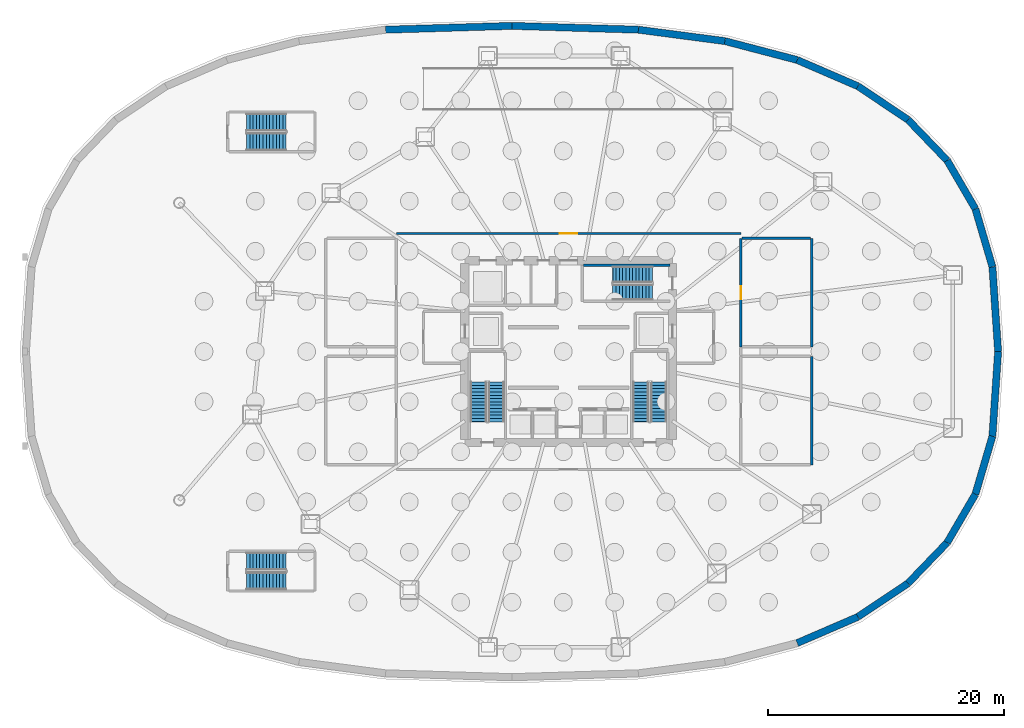
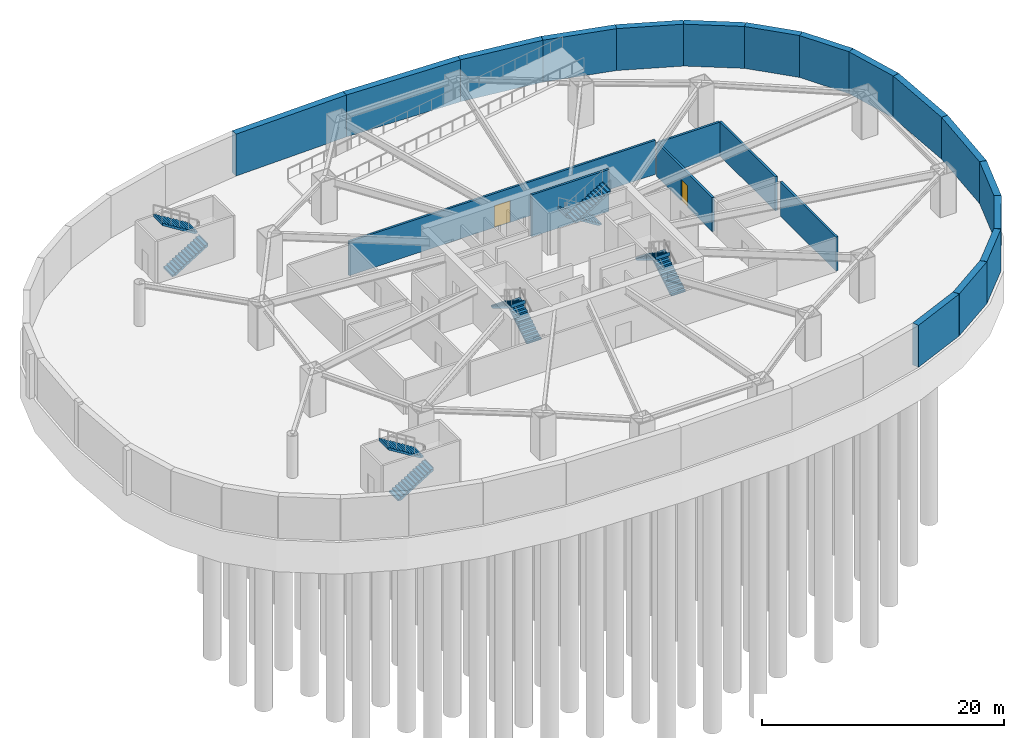
# One storey, part 5 of 10: 22 walls, 10 stair flights, 2 doors, 2 openings, 5 elements without a shape of their own.
"""IFC4 building model written with IfcOpenShell, lengths in metres."""

from ifc_helpers import new_model, si_unit, direction, frame, frame_2d, origin, place, context, subcontext, project, spatial, polyline, rectangle, outline, extrude, source, transform, mapped, material, layer, layer_set, type_object, element, fill, aggregate, save


model = new_model("IFC4")

# Units and contexts
model_context = context("Model", 3, precision=1e-05, world=origin(), true_north=direction((0.0, 1.0)))
body_context = subcontext(model_context, "Body", "Model", "MODEL_VIEW")
ifc_project = project(units=[si_unit("LENGTHUNIT", "METRE"), si_unit("AREAUNIT", "SQUARE_METRE"), si_unit("VOLUMEUNIT", "CUBIC_METRE"), si_unit("PLANEANGLEUNIT", "RADIAN"), si_unit("MASSUNIT", "GRAM", prefix="KILO"), si_unit("THERMODYNAMICTEMPERATUREUNIT", "KELVIN")], contexts=[model_context])

# Site, building, storey
site_placement = place(None, origin())
site = spatial("IfcSite", under=ifc_project, at=site_placement, CompositionType="ELEMENT")
building_placement = place(site_placement, origin())
building = spatial("IfcBuilding", under=site, at=building_placement, Name="Kethvar Cultural Tower", CompositionType="ELEMENT")
storey_placement = place(building_placement, frame((0.0, 0.0, -9.0)))
storey = spatial("IfcBuildingStorey", under=building, at=storey_placement, Name="B02", CompositionType="ELEMENT", Elevation=-9.0)

# Walls
ifc_material_1 = material(Name="Concrete C45/55", Category="concrete")
ifc_layer_1 = layer(ifc_material_1, 0.60009765625, Name="Concrete C45/55", Category="concrete")
ifc_layer_set_1 = layer_set([ifc_layer_1], Name="Concrete C45/55 (600 mm)")
wall_type_1 = type_object("IfcWallType", Name="WL-BSMT-600", PredefinedType="SHEAR", material=ifc_layer_set_1)
wall_1_placement = place(storey_placement, frame((83.199951171875, 27.800048828125, 0.0), z_axis=(0.0, 0.0, 1.0), x_axis=(-0.067018998283, 0.997751699507, 0.0)))
element("IfcWall", 1, at=wall_1_placement, inside=storey, type_object=wall_type_1, Name="B02 Perimeter Retaining Wall 01", PredefinedType="SHEAR", context=body_context, shape_type="SweptSolid", body=[
    extrude(rectangle(XDim=7.194580078125, YDim=0.60009765625, at=frame_2d((3.59716796875, 0.0))), origin(), (0.0, 0.0, 1.0), 4.219970703125),
])
wall_2_placement = place(storey_placement, frame((82.7177734375, 34.978515625, 0.0), z_axis=(0.0, 0.0, 1.0), x_axis=(-0.281735210535, 0.959492194416, 0.0)))
element("IfcWall", 2, at=wall_2_placement, inside=storey, type_object=wall_type_1, Name="B02 Perimeter Retaining Wall 02", PredefinedType="SHEAR", context=body_context, shape_type="SweptSolid", body=[
    extrude(rectangle(XDim=5.12060546875, YDim=0.60009765625, at=frame_2d((2.560302734375, 0.0))), origin(), (0.0, 0.0, 1.0), 4.219970703125),
])
wall_3_placement = place(storey_placement, frame((81.275146484375, 39.8916015625, 0.0), z_axis=(0.0, 0.0, 1.0), x_axis=(-0.503496923494, 0.863997018532, 0.0)))
element("IfcWall", 3, at=wall_3_placement, inside=storey, type_object=wall_type_1, Name="B02 Perimeter Retaining Wall 03", PredefinedType="SHEAR", context=body_context, shape_type="SweptSolid", body=[
    extrude(rectangle(XDim=4.748046875, YDim=0.60009765625, at=frame_2d((2.3740234375, 0.0))), origin(), (0.0, 0.0, 1.0), 4.219970703125),
])
wall_4_placement = place(storey_placement, frame((78.884521484375, 43.993896484375, 0.0), z_axis=(0.0, 0.0, 1.0), x_axis=(-0.693368389068, 0.720583289455, 0.0)))
element("IfcWall", 4, at=wall_4_placement, inside=storey, type_object=wall_type_1, Name="B02 Perimeter Retaining Wall 04", PredefinedType="SHEAR", context=body_context, shape_type="SweptSolid", body=[
    extrude(rectangle(XDim=4.79052734375, YDim=0.60009765625, at=frame_2d((2.395263671875, 0.0))), origin(), (0.0, 0.0, 1.0), 4.219970703125),
])
wall_5_placement = place(storey_placement, frame((75.56298828125, 47.44580078125, 0.0), z_axis=(0.0, 0.0, 1.0), x_axis=(-0.830803406524, 0.556565988638, 0.0)))
element("IfcWall", 5, at=wall_5_placement, inside=storey, type_object=wall_type_1, Name="B02 Perimeter Retaining Wall 05", PredefinedType="SHEAR", context=body_context, shape_type="SweptSolid", body=[
    extrude(rectangle(XDim=5.099365234375, YDim=0.60009765625, at=frame_2d((2.5498046875, 0.0))), origin(), (0.0, 0.0, 1.0), 4.219970703125),
])
wall_6_placement = place(storey_placement, frame((71.326416015625, 50.283935546875, 0.0), z_axis=(0.0, 0.0, 1.0), x_axis=(-0.918068469745, 0.396421852147, 0.0)))
element("IfcWall", 6, at=wall_6_placement, inside=storey, type_object=wall_type_1, Name="B02 Perimeter Retaining Wall 06", PredefinedType="SHEAR", context=body_context, shape_type="SweptSolid", body=[
    extrude(rectangle(XDim=5.613037109375, YDim=0.60009765625, at=frame_2d((2.806640625, 0.0))), origin(), (0.0, 0.0, 1.0), 4.219970703125),
])
wall_7_placement = place(storey_placement, frame((66.17333984375, 52.509033203125, 0.0), z_axis=(0.0, 0.0, 1.0), x_axis=(-0.967458151093, 0.253031076914, 0.0)))
element("IfcWall", 7, at=wall_7_placement, inside=storey, type_object=wall_type_1, Name="B02 Perimeter Retaining Wall 07", PredefinedType="SHEAR", context=body_context, shape_type="SweptSolid", body=[
    extrude(rectangle(XDim=6.32958984375, YDim=0.60009765625, at=frame_2d((3.164794921875, 0.0))), origin(), (0.0, 0.0, 1.0), 4.219970703125),
])
wall_8_placement = place(storey_placement, frame((60.0498046875, 54.110595703125, 0.0), z_axis=(0.0, 0.0, 1.0), x_axis=(-0.991431364125, 0.130628673076, 0.0)))
element("IfcWall", 8, at=wall_8_placement, inside=storey, type_object=wall_type_1, Name="B02 Perimeter Retaining Wall 08", PredefinedType="SHEAR", context=body_context, shape_type="SweptSolid", body=[
    extrude(rectangle(XDim=7.3974609375, YDim=0.60009765625, at=frame_2d((3.69873046875, 0.0))), origin(), (0.0, 0.0, 1.0), 4.219970703125),
])
for number, where, z_axis, x_axis, name in (
    (9, (52.7158203125, 55.076904296875, 0.0), (0.0, 0.0, 1.0), (-0.999546034195, 0.030128483624, 0.0), "B02 Perimeter Retaining Wall 09"),
    (10, (42.0, 55.39990234375, 0.0), (0.0, 0.0, 1.0), (-0.999546034195, -0.030128483624, 0.0), "B02 Perimeter Retaining Wall 10"),
):
    element("IfcWall", number, at=place(storey_placement, frame(where, z_axis=z_axis, x_axis=x_axis)), inside=storey, type_object=wall_type_1, Name=name, PredefinedType="SHEAR", context=body_context, shape_type="SweptSolid", body=[
        extrude(rectangle(XDim=10.720703125, YDim=0.60009765625, at=frame_2d((5.3603515625, 0.0))), origin(), (0.0, 0.0, 1.0), 4.219970703125),
    ])
wall_9_placement = place(storey_placement, frame((66.17333984375, 3.091064453125, 0.0), z_axis=(0.0, 0.0, 1.0), x_axis=(0.918084299297, 0.396385190671, 0.0)))
element("IfcWall", 11, at=wall_9_placement, inside=storey, type_object=wall_type_1, Name="B02 Perimeter Retaining Wall 31", PredefinedType="SHEAR", context=body_context, shape_type="SweptSolid", body=[
    extrude(rectangle(XDim=5.61279296875, YDim=0.60009765625, at=frame_2d((2.806396484375, 0.0))), origin(), (0.0, 0.0, 1.0), 4.219970703125),
])
wall_10_placement = place(storey_placement, frame((71.326416015625, 5.31591796875, 0.0), z_axis=(0.0, 0.0, 1.0), x_axis=(0.830781268444, 0.556599033419, 0.0)))
element("IfcWall", 12, at=wall_10_placement, inside=storey, type_object=wall_type_1, Name="B02 Perimeter Retaining Wall 32", PredefinedType="SHEAR", context=body_context, shape_type="SweptSolid", body=[
    extrude(rectangle(XDim=5.099609375, YDim=0.60009765625, at=frame_2d((2.5498046875, 0.0))), origin(), (0.0, 0.0, 1.0), 4.219970703125),
])
wall_11_placement = place(storey_placement, frame((75.56298828125, 8.154296875, 0.0), z_axis=(0.0, 0.0, 1.0), x_axis=(0.693368389068, 0.720583289455, 0.0)))
element("IfcWall", 13, at=wall_11_placement, inside=storey, type_object=wall_type_1, Name="B02 Perimeter Retaining Wall 33", PredefinedType="SHEAR", context=body_context, shape_type="SweptSolid", body=[
    extrude(rectangle(XDim=4.79052734375, YDim=0.60009765625, at=frame_2d((2.395263671875, 0.0))), origin(), (0.0, 0.0, 1.0), 4.219970703125),
])
wall_12_placement = place(storey_placement, frame((78.884521484375, 11.606201171875, 0.0), z_axis=(0.0, 0.0, 1.0), x_axis=(0.503519292696, 0.863983982423, 0.0)))
element("IfcWall", 14, at=wall_12_placement, inside=storey, type_object=wall_type_1, Name="B02 Perimeter Retaining Wall 34", PredefinedType="SHEAR", context=body_context, shape_type="SweptSolid", body=[
    extrude(rectangle(XDim=4.747802734375, YDim=0.60009765625, at=frame_2d((2.3740234375, 0.0))), origin(), (0.0, 0.0, 1.0), 4.219970703125),
])
wall_13_placement = place(storey_placement, frame((81.275146484375, 15.708251953125, 0.0), z_axis=(0.0, 0.0, 1.0), x_axis=(0.281735210535, 0.959492194416, 0.0)))
element("IfcWall", 15, at=wall_13_placement, inside=storey, type_object=wall_type_1, Name="B02 Perimeter Retaining Wall 35", PredefinedType="SHEAR", context=body_context, shape_type="SweptSolid", body=[
    extrude(rectangle(XDim=5.12060546875, YDim=0.60009765625, at=frame_2d((2.560302734375, 0.0))), origin(), (0.0, 0.0, 1.0), 4.219970703125),
])
wall_14_placement = place(storey_placement, frame((82.7177734375, 20.621337890625, 0.0), z_axis=(0.0, 0.0, 1.0), x_axis=(0.067016729273, 0.997751851914, 0.0)))
element("IfcWall", 16, at=wall_14_placement, inside=storey, type_object=wall_type_1, Name="B02 Perimeter Retaining Wall 36", PredefinedType="SHEAR", context=body_context, shape_type="SweptSolid", body=[
    extrude(rectangle(XDim=7.19482421875, YDim=0.60009765625, at=frame_2d((3.597412109375, 0.0))), origin(), (0.0, 0.0, 1.0), 4.219970703125),
])
ifc_material_2 = material(Name="Concrete C40/50", Category="concrete")
ifc_layer_2 = layer(ifc_material_2, 0.199951171875, Name="Concrete C40/50", Category="concrete")
ifc_layer_set_2 = layer_set([ifc_layer_2], Name="Concrete C40/50 (200 mm)")
wall_type_2 = type_object("IfcWallType", Name="WL-FIRE-200", PredefinedType="PARTITIONING", material=ifc_layer_set_2)
wall_15_placement = place(storey_placement, frame((67.39990234375, 18.199951171875, 0.0), z_axis=(0.0, 0.0, 1.0), x_axis=(0.0, 1.0, 0.0)))
element("IfcWall", 17, at=wall_15_placement, inside=storey, type_object=wall_type_2, Name="B02 MV Substation Switchroom Back Wall", PredefinedType="PARTITIONING", context=body_context, shape_type="SweptSolid", body=[
    extrude(rectangle(XDim=9.199951171875, YDim=0.199951171875, at=frame_2d((4.60009765625, 0.0))), origin(), (0.0, 0.0, 1.0), 3.43310546875),
])

# Wall, opening, door
wall_16_placement = place(storey_placement, frame((61.39990234375, 28.199951171875, 0.0), z_axis=(0.0, 0.0, 1.0), x_axis=(0.0, 1.0, 0.0)))
wall_16 = element("IfcWall", 18, at=wall_16_placement, inside=storey, type_object=wall_type_2, Name="B02 Sprinkler Booster Pump Room Front Wall", PredefinedType="PARTITIONING", context=body_context, shape_type="SweptSolid", body=[
    extrude(rectangle(XDim=9.199951171875, YDim=0.199951171875, at=frame_2d((4.60009765625, 0.0))), origin(), (0.0, 0.0, 1.0), 3.43310546875),
])
opening_1_placement = place(wall_16_placement, frame((4.050048828125, 0.0, 0.0)))
opening_1 = element("IfcOpeningElement", 19, at=opening_1_placement, cuts=wall_16, Name="Opening D-B02-B4", PredefinedType="OPENING", context=body_context, shape_type="SweptSolid", body=[
    extrude(rectangle(XDim=1.10009765625, YDim=2.14990234375, at=frame_2d((0.550048828125, 1.074951171875))), frame((0.0, 0.10986328125, 0.0), z_axis=(0.0, -1.0, 0.0), x_axis=(1.0, 0.0, 0.0)), (0.0, 0.0, 1.0), 0.219970703125),
])
ifc_material_3 = material(Name="Steel S355J2", Category="steel")
door_type_1 = type_object("IfcDoorType", Name="DR-FD60-1100", OperationType="NOTDEFINED", PredefinedType="DOOR", material=ifc_material_3)
shared_shape_1 = source(origin(), body_context, "Body", "SweptSolid", [
    extrude(rectangle(XDim=1.10009765625, YDim=2.14990234375, at=frame_2d((0.550048828125, 1.074951171875))), frame((0.0, 0.02490234375, 0.0), z_axis=(0.0, -1.0, 0.0), x_axis=(1.0, 0.0, 0.0)), (0.0, 0.0, 1.0), 0.050048828125),
])
door_1_placement = place(opening_1_placement, origin())
door_1 = element("IfcDoor", 20, at=door_1_placement, inside=storey, type_object=door_type_1, Name="B02 Sprinkler Booster Pump Room Door", OperationType="SINGLE_SWING_RIGHT", OverallHeight=2.14990234375, OverallWidth=1.10009765625, PredefinedType="DOOR", context=body_context, shape_type="MappedRepresentation", body=[
    mapped(shared_shape_1, transform((0.0, 0.0, 0.0), scale=1.0)),
])
fill(opening_1, door_1)

# Walls
wall_17_placement = place(storey_placement, frame((67.39990234375, 28.199951171875, 0.0), z_axis=(0.0, 0.0, 1.0), x_axis=(0.0, 1.0, 0.0)))
element("IfcWall", 21, at=wall_17_placement, inside=storey, type_object=wall_type_2, Name="B02 Sprinkler Booster Pump Room Back Wall", PredefinedType="PARTITIONING", context=body_context, shape_type="SweptSolid", body=[
    extrude(rectangle(XDim=9.199951171875, YDim=0.199951171875, at=frame_2d((4.60009765625, 0.0))), origin(), (0.0, 0.0, 1.0), 3.43310546875),
])
wall_18_placement = place(storey_placement, frame((61.510009765625, 37.39990234375, 0.0), z_axis=(0.0, 0.0, 1.0), x_axis=(1.0, 0.0, 0.0)))
element("IfcWall", 22, at=wall_18_placement, inside=storey, type_object=wall_type_2, Name="B02 Sprinkler Booster Pump Room North Wall", PredefinedType="PARTITIONING", context=body_context, shape_type="SweptSolid", body=[
    extrude(rectangle(XDim=5.780029296875, YDim=0.199951171875, at=frame_2d((2.89013671875, 0.0))), origin(), (0.0, 0.0, 1.0), 3.43310546875),
])

# Wall, opening, door
wall_19_placement = place(storey_placement, frame((32.199951171875, 37.800048828125, 0.0), z_axis=(0.0, 0.0, 1.0), x_axis=(1.0, 0.0, 0.0)))
wall_19 = element("IfcWall", 23, at=wall_19_placement, inside=storey, type_object=wall_type_2, Name="B02 Basement Vestibule Wall N", PredefinedType="PARTITIONING", context=body_context, shape_type="SweptSolid", body=[
    extrude(rectangle(XDim=29.199951171875, YDim=0.199951171875, at=frame_2d((14.60009765625, 0.0))), origin(), (0.0, 0.0, 1.0), 3.43310546875),
])
opening_2_placement = place(wall_19_placement, frame((13.85009765625, 0.0, 0.0)))
opening_2 = element("IfcOpeningElement", 24, at=opening_2_placement, cuts=wall_19, Name="Opening D-B02-CPN", PredefinedType="OPENING", context=body_context, shape_type="SweptSolid", body=[
    extrude(rectangle(XDim=1.5, YDim=2.199951171875, at=frame_2d((0.75, 1.10009765625))), frame((0.0, 0.10986328125, 0.0), z_axis=(0.0, -1.0, 0.0), x_axis=(1.0, 0.0, 0.0)), (0.0, 0.0, 1.0), 0.219970703125),
])
ifc_material_4 = material(Name="Architectural Oak Timber", Category="wood")
door_type_2 = type_object("IfcDoorType", Name="DR-DBL-FD60-1500", OperationType="DOUBLE_DOOR_SINGLE_SWING", PredefinedType="DOOR", material=ifc_material_4)
shared_shape_2 = source(origin(), body_context, "Body", "SweptSolid", [
    extrude(rectangle(XDim=1.5, YDim=2.199951171875, at=frame_2d((0.75, 1.10009765625))), frame((0.0, 0.02490234375, 0.0), z_axis=(0.0, -1.0, 0.0), x_axis=(1.0, 0.0, 0.0)), (0.0, 0.0, 1.0), 0.050048828125),
])
door_2_placement = place(opening_2_placement, origin())
door_2 = element("IfcDoor", 25, at=door_2_placement, inside=storey, type_object=door_type_2, Name="B02 Car Park Vestibule Door N", OperationType="DOUBLE_DOOR_SINGLE_SWING", OverallHeight=2.199951171875, OverallWidth=1.5, PredefinedType="DOOR", context=body_context, shape_type="MappedRepresentation", body=[
    mapped(shared_shape_2, transform((0.0, 0.0, 0.0), scale=1.0)),
])
fill(opening_2, door_2)

# Wall
ifc_material_5 = material(Name="Concrete C50/60", Category="concrete")
ifc_layer_3 = layer(ifc_material_5, 0.199951171875, Name="Concrete C50/60", Category="concrete")
ifc_layer_set_3 = layer_set([ifc_layer_3], Name="Concrete C50/60 (200 mm)")
wall_type_3 = type_object("IfcWallType", Name="WL-STSHAFT-200", PredefinedType="SHEAR", material=ifc_layer_set_3)
wall_20_placement = place(storey_placement, frame((48.050048828125, 35.110107421875, 0.0), z_axis=(0.0, 0.0, 1.0), x_axis=(1.0, 0.0, 0.0)))
element("IfcWall", 26, at=wall_20_placement, inside=storey, type_object=wall_type_3, Name="B02 ST-03 Stair Shaft Wall LEFT", PredefinedType="SHEAR", context=body_context, shape_type="SweptSolid", body=[
    extrude(rectangle(XDim=7.349853515625, YDim=0.199951171875, at=frame_2d((3.6748046875, 0.0))), origin(), (0.0, 0.0, 1.0), 4.219970703125),
])

# Stair, stair flights
stair_type_1 = type_object("IfcStairType", Name="ST-DOGLEG-135", PredefinedType="HALF_TURN_STAIR", material=ifc_material_2)
stair_1_placement = place(storey_placement, origin())
stair_1 = element("IfcStair", 27, at=stair_1_placement, inside=storey, type_object=stair_type_1, Name="B02 Core Exit Stair 1", PredefinedType="HALF_TURN_STAIR")
stair_flight_type_1 = type_object("IfcStairFlightType", Name="FL-STRAIGHT-135", PredefinedType="STRAIGHT", material=ifc_material_2)
stair_flight_1_placement = place(storey_placement, frame((40.675048828125, 21.85009765625, 0.0), z_axis=(0.0, 0.0, 1.0), x_axis=(0.0, 1.0, 0.0)))
stair_flight_1 = element("IfcStairFlight", 28, at=stair_flight_1_placement, type_object=stair_flight_type_1, Name="ST-01 flight 1", NumberOfRisers=13, NumberOfTreads=12, PredefinedType="STRAIGHT", RiserHeight=0.173076923, TreadLength=0.28, context=body_context, shape_type="SweptSolid", body=[
    extrude(outline(polyline([(-0.0009765625, -0.0009765625), (-0.0009765625, 0.173095703125), (0.280029296875, 0.173095703125), (0.280029296875, 0.34619140625), (0.56005859375, 0.34619140625), (0.56005859375, 0.519287109375), (0.840087890625, 0.519287109375), (0.840087890625, 0.6923828125), (1.1201171875, 0.6923828125), (1.1201171875, 0.865478515625), (1.39990234375, 0.865478515625), (1.39990234375, 1.03857421875), (1.679931640625, 1.03857421875), (1.679931640625, 1.21142578125), (1.9599609375, 1.21142578125), (1.9599609375, 1.384521484375), (2.239990234375, 1.384521484375), (2.239990234375, 1.5576171875), (2.52001953125, 1.5576171875), (2.52001953125, 1.730712890625), (2.800048828125, 1.730712890625), (2.800048828125, 1.90380859375), (3.080078125, 1.90380859375), (3.080078125, 2.076904296875), (3.360107421875, 2.076904296875), (3.360107421875, 2.25), (3.361083984375, 2.25), (3.361083984375, 1.900634765625), (0.28515625, 0.0), (0.0, -0.0009765625), (-0.0009765625, -0.0009765625)])), frame((0.0, 0.675048828125, 0.0), z_axis=(0.0, -1.0, 0.0), x_axis=(1.0, 0.0, 0.0)), (0.0, 0.0, 1.0), 1.35009765625),
])
stair_flight_2_placement = place(storey_placement, frame((39.1650390625, 25.2099609375, 2.25), z_axis=(0.0, 0.0, 1.0), x_axis=(0.0, -1.0, 0.0)))
stair_flight_2 = element("IfcStairFlight", 29, at=stair_flight_2_placement, type_object=stair_flight_type_1, Name="ST-01 flight 2", NumberOfRisers=13, NumberOfTreads=12, PredefinedType="STRAIGHT", RiserHeight=0.173076923, TreadLength=0.28, context=body_context, shape_type="SweptSolid", body=[
    extrude(outline(polyline([(-0.0009765625, -0.0009765625), (-0.0009765625, 0.173095703125), (0.280029296875, 0.173095703125), (0.280029296875, 0.34619140625), (0.56005859375, 0.34619140625), (0.56005859375, 0.519287109375), (0.840087890625, 0.519287109375), (0.840087890625, 0.6923828125), (1.1201171875, 0.6923828125), (1.1201171875, 0.865478515625), (1.39990234375, 0.865478515625), (1.39990234375, 1.03857421875), (1.679931640625, 1.03857421875), (1.679931640625, 1.21142578125), (1.9599609375, 1.21142578125), (1.9599609375, 1.384521484375), (2.239990234375, 1.384521484375), (2.239990234375, 1.5576171875), (2.52001953125, 1.5576171875), (2.52001953125, 1.730712890625), (2.800048828125, 1.730712890625), (2.800048828125, 1.90380859375), (3.080078125, 1.90380859375), (3.080078125, 2.076904296875), (3.360107421875, 2.076904296875), (3.360107421875, 2.25), (3.361083984375, 2.25), (3.361083984375, 1.900634765625), (0.28515625, 0.0), (0.0, -0.0009765625), (-0.0009765625, -0.0009765625)])), frame((0.0, 0.675048828125, 0.0), z_axis=(0.0, -1.0, 0.0), x_axis=(1.0, 0.0, 0.0)), (0.0, 0.0, 1.0), 1.35009765625),
])
aggregate(stair_1, [stair_flight_1, stair_flight_2])

stair_2_placement = place(storey_placement, origin())
stair_2 = element("IfcStair", 30, at=stair_2_placement, inside=storey, type_object=stair_type_1, Name="B02 Core Exit Stair 2", PredefinedType="HALF_TURN_STAIR")
stair_flight_3_placement = place(storey_placement, frame((54.43505859375, 21.85009765625, 0.0), z_axis=(0.0, 0.0, 1.0), x_axis=(0.0, 1.0, 0.0)))
stair_flight_3 = element("IfcStairFlight", 31, at=stair_flight_3_placement, type_object=stair_flight_type_1, Name="ST-02 flight 1", NumberOfRisers=13, NumberOfTreads=12, PredefinedType="STRAIGHT", RiserHeight=0.173076923, TreadLength=0.28, context=body_context, shape_type="SweptSolid", body=[
    extrude(outline(polyline([(-0.0009765625, -0.0009765625), (-0.0009765625, 0.173095703125), (0.280029296875, 0.173095703125), (0.280029296875, 0.34619140625), (0.56005859375, 0.34619140625), (0.56005859375, 0.519287109375), (0.840087890625, 0.519287109375), (0.840087890625, 0.6923828125), (1.1201171875, 0.6923828125), (1.1201171875, 0.865478515625), (1.39990234375, 0.865478515625), (1.39990234375, 1.03857421875), (1.679931640625, 1.03857421875), (1.679931640625, 1.21142578125), (1.9599609375, 1.21142578125), (1.9599609375, 1.384521484375), (2.239990234375, 1.384521484375), (2.239990234375, 1.5576171875), (2.52001953125, 1.5576171875), (2.52001953125, 1.730712890625), (2.800048828125, 1.730712890625), (2.800048828125, 1.90380859375), (3.080078125, 1.90380859375), (3.080078125, 2.076904296875), (3.360107421875, 2.076904296875), (3.360107421875, 2.25), (3.361083984375, 2.25), (3.361083984375, 1.900634765625), (0.28515625, 0.0), (0.0, -0.0009765625), (-0.0009765625, -0.0009765625)])), frame((0.0, 0.675048828125, 0.0), z_axis=(0.0, -1.0, 0.0), x_axis=(1.0, 0.0, 0.0)), (0.0, 0.0, 1.0), 1.35009765625),
])
stair_flight_4_placement = place(storey_placement, frame((52.925048828125, 25.2099609375, 2.25), z_axis=(0.0, 0.0, 1.0), x_axis=(0.0, -1.0, 0.0)))
stair_flight_4 = element("IfcStairFlight", 32, at=stair_flight_4_placement, type_object=stair_flight_type_1, Name="ST-02 flight 2", NumberOfRisers=13, NumberOfTreads=12, PredefinedType="STRAIGHT", RiserHeight=0.173076923, TreadLength=0.28, context=body_context, shape_type="SweptSolid", body=[
    extrude(outline(polyline([(-0.0009765625, -0.0009765625), (-0.0009765625, 0.173095703125), (0.280029296875, 0.173095703125), (0.280029296875, 0.34619140625), (0.56005859375, 0.34619140625), (0.56005859375, 0.519287109375), (0.840087890625, 0.519287109375), (0.840087890625, 0.6923828125), (1.1201171875, 0.6923828125), (1.1201171875, 0.865478515625), (1.39990234375, 0.865478515625), (1.39990234375, 1.03857421875), (1.679931640625, 1.03857421875), (1.679931640625, 1.21142578125), (1.9599609375, 1.21142578125), (1.9599609375, 1.384521484375), (2.239990234375, 1.384521484375), (2.239990234375, 1.5576171875), (2.52001953125, 1.5576171875), (2.52001953125, 1.730712890625), (2.800048828125, 1.730712890625), (2.800048828125, 1.90380859375), (3.080078125, 1.90380859375), (3.080078125, 2.076904296875), (3.360107421875, 2.076904296875), (3.360107421875, 2.25), (3.361083984375, 2.25), (3.361083984375, 1.900634765625), (0.28515625, 0.0), (0.0, -0.0009765625), (-0.0009765625, -0.0009765625)])), frame((0.0, 0.675048828125, 0.0), z_axis=(0.0, -1.0, 0.0), x_axis=(1.0, 0.0, 0.0)), (0.0, 0.0, 1.0), 1.35009765625),
])
aggregate(stair_2, [stair_flight_3, stair_flight_4])

stair_3_placement = place(storey_placement, origin())
stair_3 = element("IfcStair", 33, at=stair_3_placement, inside=storey, type_object=stair_type_1, Name="B02 Core Exit Stair 3", PredefinedType="HALF_TURN_STAIR")
stair_flight_5_placement = place(storey_placement, frame((53.89990234375, 34.3349609375, 0.0), z_axis=(0.0, 0.0, 1.0), x_axis=(-1.0, 0.0, 0.0)))
stair_flight_5 = element("IfcStairFlight", 34, at=stair_flight_5_placement, type_object=stair_flight_type_1, Name="ST-03 flight 1", NumberOfRisers=13, NumberOfTreads=12, PredefinedType="STRAIGHT", RiserHeight=0.173076923, TreadLength=0.28, context=body_context, shape_type="SweptSolid", body=[
    extrude(outline(polyline([(-0.0009765625, -0.0009765625), (-0.0009765625, 0.173095703125), (0.280029296875, 0.173095703125), (0.280029296875, 0.34619140625), (0.56005859375, 0.34619140625), (0.56005859375, 0.519287109375), (0.840087890625, 0.519287109375), (0.840087890625, 0.6923828125), (1.1201171875, 0.6923828125), (1.1201171875, 0.865478515625), (1.39990234375, 0.865478515625), (1.39990234375, 1.03857421875), (1.679931640625, 1.03857421875), (1.679931640625, 1.21142578125), (1.9599609375, 1.21142578125), (1.9599609375, 1.384521484375), (2.239990234375, 1.384521484375), (2.239990234375, 1.5576171875), (2.52001953125, 1.5576171875), (2.52001953125, 1.730712890625), (2.800048828125, 1.730712890625), (2.800048828125, 1.90380859375), (3.080078125, 1.90380859375), (3.080078125, 2.076904296875), (3.360107421875, 2.076904296875), (3.360107421875, 2.25), (3.361083984375, 2.25), (3.361083984375, 1.900634765625), (0.28515625, 0.0), (0.0, -0.0009765625), (-0.0009765625, -0.0009765625)])), frame((0.0, 0.675048828125, 0.0), z_axis=(0.0, -1.0, 0.0), x_axis=(1.0, 0.0, 0.0)), (0.0, 0.0, 1.0), 1.35009765625),
])
stair_flight_6_placement = place(storey_placement, frame((50.5400390625, 32.824951171875, 2.25), z_axis=(0.0, 0.0, 1.0), x_axis=(1.0, 0.0, 0.0)))
stair_flight_6 = element("IfcStairFlight", 35, at=stair_flight_6_placement, type_object=stair_flight_type_1, Name="ST-03 flight 2", NumberOfRisers=13, NumberOfTreads=12, PredefinedType="STRAIGHT", RiserHeight=0.173076923, TreadLength=0.28, context=body_context, shape_type="SweptSolid", body=[
    extrude(outline(polyline([(-0.0009765625, -0.0009765625), (-0.0009765625, 0.173095703125), (0.280029296875, 0.173095703125), (0.280029296875, 0.34619140625), (0.56005859375, 0.34619140625), (0.56005859375, 0.519287109375), (0.840087890625, 0.519287109375), (0.840087890625, 0.6923828125), (1.1201171875, 0.6923828125), (1.1201171875, 0.865478515625), (1.39990234375, 0.865478515625), (1.39990234375, 1.03857421875), (1.679931640625, 1.03857421875), (1.679931640625, 1.21142578125), (1.9599609375, 1.21142578125), (1.9599609375, 1.384521484375), (2.239990234375, 1.384521484375), (2.239990234375, 1.5576171875), (2.52001953125, 1.5576171875), (2.52001953125, 1.730712890625), (2.800048828125, 1.730712890625), (2.800048828125, 1.90380859375), (3.080078125, 1.90380859375), (3.080078125, 2.076904296875), (3.360107421875, 2.076904296875), (3.360107421875, 2.25), (3.361083984375, 2.25), (3.361083984375, 1.900634765625), (0.28515625, 0.0), (0.0, -0.0009765625), (-0.0009765625, -0.0009765625)])), frame((0.0, 0.675048828125, 0.0), z_axis=(0.0, -1.0, 0.0), x_axis=(1.0, 0.0, 0.0)), (0.0, 0.0, 1.0), 1.35009765625),
])
aggregate(stair_3, [stair_flight_5, stair_flight_6])

stair_type_2 = type_object("IfcStairType", Name="ST-DOGLEG-150", PredefinedType="HALF_TURN_STAIR", material=ifc_material_2)
stair_4_placement = place(storey_placement, origin())
stair_4 = element("IfcStair", 36, at=stair_4_placement, inside=storey, type_object=stair_type_2, Name="B02 Podium Auditorium Exit Stair 4", PredefinedType="HALF_TURN_STAIR")
stair_flight_type_2 = type_object("IfcStairFlightType", Name="FL-STRAIGHT-150", PredefinedType="STRAIGHT", material=ifc_material_2)
stair_flight_7_placement = place(storey_placement, frame((19.5, 8.35009765625, 0.0), z_axis=(0.0, 0.0, 1.0), x_axis=(1.0, 0.0, 0.0)))
stair_flight_7 = element("IfcStairFlight", 37, at=stair_flight_7_placement, type_object=stair_flight_type_2, Name="ST-04 flight 1", NumberOfRisers=13, NumberOfTreads=12, PredefinedType="STRAIGHT", RiserHeight=0.173076923, TreadLength=0.28, context=body_context, shape_type="SweptSolid", body=[
    extrude(outline(polyline([(-0.0009765625, -0.0009765625), (-0.0009765625, 0.173095703125), (0.280029296875, 0.173095703125), (0.280029296875, 0.34619140625), (0.56005859375, 0.34619140625), (0.56005859375, 0.519287109375), (0.840087890625, 0.519287109375), (0.840087890625, 0.6923828125), (1.1201171875, 0.6923828125), (1.1201171875, 0.865478515625), (1.39990234375, 0.865478515625), (1.39990234375, 1.03857421875), (1.679931640625, 1.03857421875), (1.679931640625, 1.21142578125), (1.9599609375, 1.21142578125), (1.9599609375, 1.384521484375), (2.239990234375, 1.384521484375), (2.239990234375, 1.5576171875), (2.52001953125, 1.5576171875), (2.52001953125, 1.730712890625), (2.800048828125, 1.730712890625), (2.800048828125, 1.90380859375), (3.080078125, 1.90380859375), (3.080078125, 2.076904296875), (3.360107421875, 2.076904296875), (3.360107421875, 2.25), (3.361083984375, 2.25), (3.361083984375, 1.900634765625), (0.28515625, 0.0), (0.0, -0.0009765625), (-0.0009765625, -0.0009765625)])), frame((0.0, 0.75, 0.0), z_axis=(0.0, -1.0, 0.0), x_axis=(1.0, 0.0, 0.0)), (0.0, 0.0, 1.0), 1.5),
])
stair_flight_8_placement = place(storey_placement, frame((22.860107421875, 10.010009765625, 2.25), z_axis=(0.0, 0.0, 1.0), x_axis=(-1.0, 0.0, 0.0)))
stair_flight_8 = element("IfcStairFlight", 38, at=stair_flight_8_placement, type_object=stair_flight_type_2, Name="ST-04 flight 2", NumberOfRisers=13, NumberOfTreads=12, PredefinedType="STRAIGHT", RiserHeight=0.173076923, TreadLength=0.28, context=body_context, shape_type="SweptSolid", body=[
    extrude(outline(polyline([(-0.0009765625, -0.0009765625), (-0.0009765625, 0.173095703125), (0.280029296875, 0.173095703125), (0.280029296875, 0.34619140625), (0.56005859375, 0.34619140625), (0.56005859375, 0.519287109375), (0.840087890625, 0.519287109375), (0.840087890625, 0.6923828125), (1.1201171875, 0.6923828125), (1.1201171875, 0.865478515625), (1.39990234375, 0.865478515625), (1.39990234375, 1.03857421875), (1.679931640625, 1.03857421875), (1.679931640625, 1.21142578125), (1.9599609375, 1.21142578125), (1.9599609375, 1.384521484375), (2.239990234375, 1.384521484375), (2.239990234375, 1.5576171875), (2.52001953125, 1.5576171875), (2.52001953125, 1.730712890625), (2.800048828125, 1.730712890625), (2.800048828125, 1.90380859375), (3.080078125, 1.90380859375), (3.080078125, 2.076904296875), (3.360107421875, 2.076904296875), (3.360107421875, 2.25), (3.361083984375, 2.25), (3.361083984375, 1.900634765625), (0.28515625, 0.0), (0.0, -0.0009765625), (-0.0009765625, -0.0009765625)])), frame((0.0, 0.75, 0.0), z_axis=(0.0, -1.0, 0.0), x_axis=(1.0, 0.0, 0.0)), (0.0, 0.0, 1.0), 1.5),
])
aggregate(stair_4, [stair_flight_7, stair_flight_8])

stair_5_placement = place(storey_placement, origin())
stair_5 = element("IfcStair", 39, at=stair_5_placement, inside=storey, type_object=stair_type_2, Name="B02 Podium Auditorium Exit Stair 5", PredefinedType="HALF_TURN_STAIR")
stair_flight_9_placement = place(storey_placement, frame((19.5, 45.590087890625, 0.0), z_axis=(0.0, 0.0, 1.0), x_axis=(1.0, 0.0, 0.0)))
stair_flight_9 = element("IfcStairFlight", 40, at=stair_flight_9_placement, type_object=stair_flight_type_2, Name="ST-05 flight 1", NumberOfRisers=13, NumberOfTreads=12, PredefinedType="STRAIGHT", RiserHeight=0.173076923, TreadLength=0.28, context=body_context, shape_type="SweptSolid", body=[
    extrude(outline(polyline([(-0.0009765625, -0.0009765625), (-0.0009765625, 0.173095703125), (0.280029296875, 0.173095703125), (0.280029296875, 0.34619140625), (0.56005859375, 0.34619140625), (0.56005859375, 0.519287109375), (0.840087890625, 0.519287109375), (0.840087890625, 0.6923828125), (1.1201171875, 0.6923828125), (1.1201171875, 0.865478515625), (1.39990234375, 0.865478515625), (1.39990234375, 1.03857421875), (1.679931640625, 1.03857421875), (1.679931640625, 1.21142578125), (1.9599609375, 1.21142578125), (1.9599609375, 1.384521484375), (2.239990234375, 1.384521484375), (2.239990234375, 1.5576171875), (2.52001953125, 1.5576171875), (2.52001953125, 1.730712890625), (2.800048828125, 1.730712890625), (2.800048828125, 1.90380859375), (3.080078125, 1.90380859375), (3.080078125, 2.076904296875), (3.360107421875, 2.076904296875), (3.360107421875, 2.25), (3.361083984375, 2.25), (3.361083984375, 1.900634765625), (0.28515625, 0.0), (0.0, -0.0009765625), (-0.0009765625, -0.0009765625)])), frame((0.0, 0.75, 0.0), z_axis=(0.0, -1.0, 0.0), x_axis=(1.0, 0.0, 0.0)), (0.0, 0.0, 1.0), 1.5),
])
stair_flight_10_placement = place(storey_placement, frame((22.860107421875, 47.25, 2.25), z_axis=(0.0, 0.0, 1.0), x_axis=(-1.0, 0.0, 0.0)))
stair_flight_10 = element("IfcStairFlight", 41, at=stair_flight_10_placement, type_object=stair_flight_type_2, Name="ST-05 flight 2", NumberOfRisers=13, NumberOfTreads=12, PredefinedType="STRAIGHT", RiserHeight=0.173076923, TreadLength=0.28, context=body_context, shape_type="SweptSolid", body=[
    extrude(outline(polyline([(-0.0009765625, -0.0009765625), (-0.0009765625, 0.173095703125), (0.280029296875, 0.173095703125), (0.280029296875, 0.34619140625), (0.56005859375, 0.34619140625), (0.56005859375, 0.519287109375), (0.840087890625, 0.519287109375), (0.840087890625, 0.6923828125), (1.1201171875, 0.6923828125), (1.1201171875, 0.865478515625), (1.39990234375, 0.865478515625), (1.39990234375, 1.03857421875), (1.679931640625, 1.03857421875), (1.679931640625, 1.21142578125), (1.9599609375, 1.21142578125), (1.9599609375, 1.384521484375), (2.239990234375, 1.384521484375), (2.239990234375, 1.5576171875), (2.52001953125, 1.5576171875), (2.52001953125, 1.730712890625), (2.800048828125, 1.730712890625), (2.800048828125, 1.90380859375), (3.080078125, 1.90380859375), (3.080078125, 2.076904296875), (3.360107421875, 2.076904296875), (3.360107421875, 2.25), (3.361083984375, 2.25), (3.361083984375, 1.900634765625), (0.28515625, 0.0), (0.0, -0.0009765625), (-0.0009765625, -0.0009765625)])), frame((0.0, 0.75, 0.0), z_axis=(0.0, -1.0, 0.0), x_axis=(1.0, 0.0, 0.0)), (0.0, 0.0, 1.0), 1.5),
])
aggregate(stair_5, [stair_flight_9, stair_flight_10])

save(model, "model.ifc")
